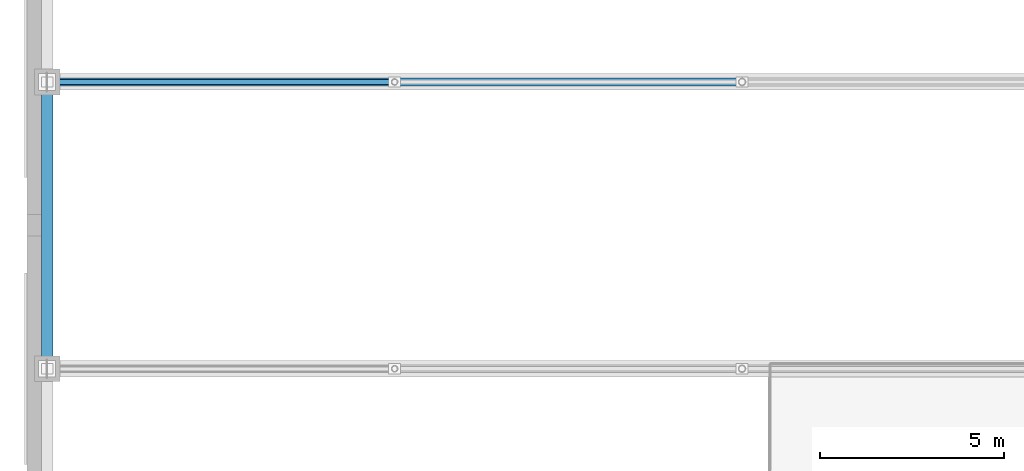
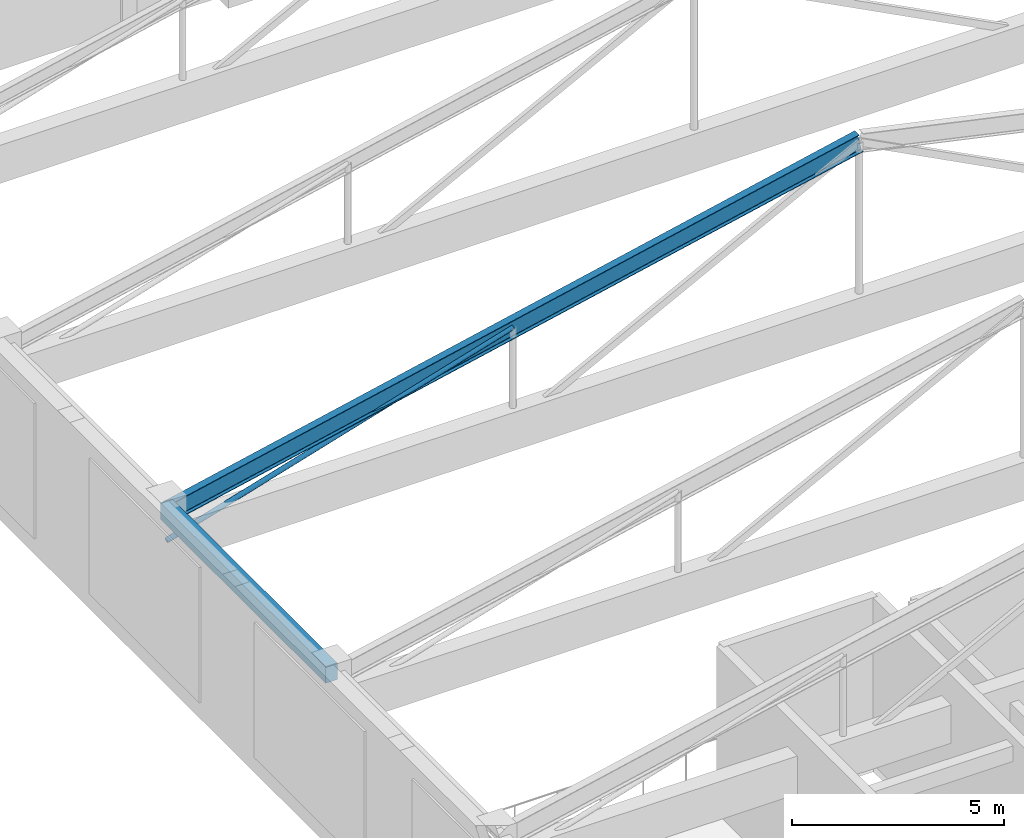
# One storey, part 23 of 105: 2 beams, 1 member.
"""IFC4 building model written with IfcOpenShell, lengths in metres."""

import ifcopenshell
import ifcopenshell.guid

model = None  # the IFC model being written
_history = None  # IfcOwnerHistory: only IFC2X3 demands one
_inside = {}  # id of a spatial element -> (the spatial element, [elements in it])
_under = {}  # id of a project, library or spatial element -> (it, [spatial elements below it])
_declared = {}  # id of a project -> (the project, [libraries it declares])
_typed = {}  # id of a type object -> (the type object, [elements of that type])
_made_of = {}  # id of a material, layer set ... -> (it, [elements and type objects made of it])


def new_model(schema):
    """Start an empty IFC model of exactly this schema.

    Asked for "IFC4X3", IfcOpenShell would pick the latest addendum, in which some entities
    have other attributes; the version numbers below select the first issue.
    IFC2X3 requires an IfcOwnerHistory on every rooted entity: one is made here for all.
    """
    global model, _history
    if schema == "IFC4X3":
        model = ifcopenshell.file(schema_version=(4, 3, 0, 0))
    else:
        model = ifcopenshell.file(schema=schema)
    _inside.clear()
    _under.clear()
    _declared.clear()
    _typed.clear()
    _made_of.clear()
    _history = None
    if model.schema == "IFC2X3":
        org = make("IfcOrganization", Name="unknown")
        user = make(
            "IfcPersonAndOrganization",
            ThePerson=make("IfcPerson", FamilyName="unknown"),
            TheOrganization=org,
        )
        app = make(
            "IfcApplication",
            ApplicationDeveloper=org,
            Version="unknown",
            ApplicationFullName="unknown",
            ApplicationIdentifier="unknown",
        )
        _history = make(
            "IfcOwnerHistory",
            OwningUser=user,
            OwningApplication=app,
            ChangeAction="ADDED",
            CreationDate=0,
        )
    return model


def make(cls, **values):
    """One entity of the class cls with the attributes given. An attribute that is None is left unset."""
    return model.create_entity(
        cls, **{name: value for name, value in values.items() if value is not None}
    )


def rooted(cls, **values):
    """An entity with a GlobalId (a new one), such as an element, a storey or a relation."""
    return make(cls, GlobalId=ifcopenshell.guid.new(), OwnerHistory=_history, **values)


def si_unit(unit_type, name, prefix=None):
    """IfcSIUnit, for example si_unit("LENGTHUNIT", "METRE", prefix="MILLI")."""
    return make("IfcSIUnit", UnitType=unit_type, Prefix=prefix, Name=name)


def assignment(units):
    """IfcUnitAssignment: the units of a project."""
    return None if units is None else make("IfcUnitAssignment", Units=units)


def point(xyz):
    """IfcCartesianPoint."""
    return None if xyz is None else make("IfcCartesianPoint", Coordinates=xyz)


def direction(xyz):
    """IfcDirection."""
    return None if xyz is None else make("IfcDirection", DirectionRatios=xyz)


def frame(location, z_axis=None, x_axis=None):
    """IfcAxis2Placement3D, a coordinate frame: its origin and axes. An axis left out is left unset."""
    return make(
        "IfcAxis2Placement3D",
        Location=point(location),
        Axis=direction(z_axis),
        RefDirection=direction(x_axis),
    )


def frame_2d(location, x_axis=None):
    """IfcAxis2Placement2D, a coordinate frame in the plane: its origin and x axis."""
    return make(
        "IfcAxis2Placement2D", Location=point(location), RefDirection=direction(x_axis)
    )


def origin():
    """The frame at (0, 0, 0) with its axes left unset."""
    return frame((0.0, 0.0, 0.0))


def origin_2d():
    """The frame at (0, 0) in the plane with its x axis left unset."""
    return frame_2d((0.0, 0.0))


def place(relative_to, where):
    """IfcLocalPlacement: puts the frame where relative to a parent placement (None: the world)."""
    return make(
        "IfcLocalPlacement", PlacementRelTo=relative_to, RelativePlacement=where
    )


def context(
    kind, dimensions, precision=None, world=None, true_north=None, identifier=None
):
    """IfcGeometricRepresentationContext, for example the 3D "Model" context."""
    return make(
        "IfcGeometricRepresentationContext",
        ContextIdentifier=identifier,
        ContextType=kind,
        CoordinateSpaceDimension=dimensions,
        Precision=precision,
        WorldCoordinateSystem=world,
        TrueNorth=true_north,
    )


def subcontext(parent, identifier, kind, view, scale=None):
    """IfcGeometricRepresentationSubContext, for example "Body" below "Model"."""
    return make(
        "IfcGeometricRepresentationSubContext",
        ContextIdentifier=identifier,
        ContextType=kind,
        ParentContext=parent,
        TargetScale=scale,
        TargetView=view,
    )


def project(units=None, contexts=None):
    """IfcProject with its units and contexts."""
    return rooted(
        "IfcProject",
        Name="project",
        RepresentationContexts=contexts,
        UnitsInContext=assignment(units),
    )


def spatial(cls, under=None, at=None, **own):
    """A site, building, storey or space (cls), placed at a placement, below another one or the project."""
    s = rooted(cls, ObjectPlacement=at, **own)
    if under is not None:
        _under.setdefault(under.id(), (under, []))[1].append(s)
    return s


def profile(cls, at=None, kind="AREA", **sizes):
    """A parametric profile (cls). Its sizes go by their IFC names, for example OverallWidth=200.0."""
    return make(cls, ProfileType=kind, Position=at, **sizes)


def rectangle(**sizes):
    """IfcRectangleProfileDef."""
    return profile("IfcRectangleProfileDef", **sizes)


def hollow_circle(**sizes):
    """IfcCircleHollowProfileDef."""
    return profile("IfcCircleHollowProfileDef", **sizes)


def i_section(**sizes):
    """IfcIShapeProfileDef."""
    return profile("IfcIShapeProfileDef", **sizes)


def extrude(swept, where, along, depth):
    """IfcExtrudedAreaSolid: the profile swept, set in the frame where, extruded along a direction by depth."""
    return make(
        "IfcExtrudedAreaSolid",
        SweptArea=swept,
        Position=where,
        ExtrudedDirection=direction(along),
        Depth=depth,
    )


def shape(context_of_items, identifier, shape_type, items):
    """IfcShapeRepresentation: the items that make up one representation, for example the "Body"."""
    return make(
        "IfcShapeRepresentation",
        ContextOfItems=context_of_items,
        RepresentationIdentifier=identifier,
        RepresentationType=shape_type,
        Items=items,
    )


def material(Name=None, Category=None):
    """IfcMaterial."""
    return make("IfcMaterial", Name=Name, Category=Category)


def material_profile(
    of_material, cross_section, Name=None, Category=None, Priority=None
):
    """IfcMaterialProfile: a cross section and its material."""
    return make(
        "IfcMaterialProfile",
        Name=Name,
        Material=of_material,
        Profile=cross_section,
        Priority=Priority,
        Category=Category,
    )


def profile_set(profiles, Name=None, composite=None):
    """IfcMaterialProfileSet."""
    return make(
        "IfcMaterialProfileSet",
        Name=Name,
        MaterialProfiles=profiles,
        CompositeProfile=composite,
    )


def made_of(thing, what):
    """Note that an element or type object is made of a material, layer set ...; save() writes the relation."""
    if what is not None:
        _made_of.setdefault(what.id(), (what, []))[1].append(thing)
    return thing


def type_object(cls, material=None, **own):
    """A type object (cls), such as IfcWallType, which elements share."""
    return made_of(rooted(cls, **own), material)


def element(
    cls,
    number,
    at=None,
    inside=None,
    cuts=None,
    type_object=None,
    material=None,
    context=None,
    identifier="Body",
    shape_type=None,
    held_by="IfcProductDefinitionShape",
    body=None,
    shapes=None,
    **own,
):
    """One element of the class cls, such as IfcWall. Its Tag is "e" and its number.

    at: its placement. inside: the storey or other place that contains it. cuts: it is an
    opening in that element (IfcRelVoidsElement). A single representation is given by context,
    identifier, shape_type and body (its items); several are given by shapes. held_by: the class
    of the entity that holds the representations. save() writes the other relations.
    """
    e = rooted(cls, Tag="e%d" % number, ObjectPlacement=at, **own)
    if body is not None:
        shapes = [shape(context, identifier, shape_type, body)]
    if shapes is not None:
        e.Representation = make(held_by, Representations=shapes)
    if inside is not None:
        _inside.setdefault(inside.id(), (inside, []))[1].append(e)
    if cuts is not None:
        rooted(
            "IfcRelVoidsElement", RelatingBuildingElement=cuts, RelatedOpeningElement=e
        )
    if type_object is not None:
        _typed.setdefault(type_object.id(), (type_object, []))[1].append(e)
    return made_of(e, material)


def aggregate(whole, parts):
    """IfcRelAggregates: a whole, such as a stair, and the parts it consists of."""
    return rooted("IfcRelAggregates", RelatingObject=whole, RelatedObjects=parts)


def save(model, path):
    """Write the relations noted so far, then the file.

    IfcRelAggregates (storeys below a building ...), IfcRelContainedInSpatialStructure (elements
    in a storey), IfcRelDefinesByType, IfcRelAssociatesMaterial and IfcRelDeclares: one each for
    every whole, place, type object, material and project.
    """
    for whole, parts in _under.values():
        aggregate(whole, parts)
    for where, things in _inside.values():
        rooted(
            "IfcRelContainedInSpatialStructure",
            RelatedElements=things,
            RelatingStructure=where,
        )
    for kind, things in _typed.values():
        rooted("IfcRelDefinesByType", RelatedObjects=things, RelatingType=kind)
    for what, things in _made_of.values():
        rooted("IfcRelAssociatesMaterial", RelatedObjects=things, RelatingMaterial=what)
    for by, libraries in _declared.values():
        rooted("IfcRelDeclares", RelatingContext=by, RelatedDefinitions=libraries)
    model.write(path)


model = new_model("IFC4")

# Units and contexts
model_context = context("Model", 3, precision=1e-05, world=origin(), true_north=direction((0.0, 1.0)))
body_context = subcontext(model_context, "Body", "Model", "MODEL_VIEW")
ifc_project = project(units=[si_unit("LENGTHUNIT", "METRE"), si_unit("AREAUNIT", "SQUARE_METRE"), si_unit("VOLUMEUNIT", "CUBIC_METRE"), si_unit("PLANEANGLEUNIT", "RADIAN"), si_unit("MASSUNIT", "GRAM", prefix="KILO")], contexts=[model_context])

# Site, building, storey
site_placement = place(None, origin())
site = spatial("IfcSite", under=ifc_project, at=site_placement, CompositionType="ELEMENT")
building_placement = place(site_placement, origin())
building = spatial("IfcBuilding", under=site, at=building_placement, Name="Pelvatis Terrace Science Centre", CompositionType="ELEMENT")
storey_placement = place(building_placement, frame((0.0, 0.0, 10.199951171875)))
storey = spatial("IfcBuildingStorey", under=building, at=storey_placement, Name="L02", CompositionType="ELEMENT", Elevation=10.199951171875)

# Beams
ifc_material_1 = material(Name="Concrete C35/45", Category="concrete")
ifc_material_profile_1 = material_profile(ifc_material_1, rectangle(XDim=0.320068359375, YDim=0.47998046875, at=origin_2d()), Name="RC-BM 320x480")
ifc_profile_set_1 = profile_set([ifc_material_profile_1], Name="Concrete C35/45")
beam_type_1 = type_object("IfcBeamType", Name="BM-RC-320x480", PredefinedType="BEAM", material=ifc_profile_set_1)
beam_1_placement = place(storey_placement, frame((8.39990234375, 85.800048828125, 4.300048828125), z_axis=(0.0, 1.0, 0.0), x_axis=(-1.0, 0.0, 0.0)))
element("IfcBeam", 1, at=beam_1_placement, inside=storey, type_object=beam_type_1, Name="Beam BM-L02-2883", PredefinedType="BEAM", context=body_context, shape_type="SweptSolid", body=[
    extrude(rectangle(XDim=0.320068359375, YDim=0.47998046875, at=origin_2d()), origin(), (0.0, 0.0, 1.0), 7.800048828125),
])
ifc_material_2 = material(Name="Structural steel S355", Category="steel")
ifc_material_profile_2 = material_profile(ifc_material_2, i_section(OverallWidth=0.208984375, OverallDepth=0.532958984375, WebThickness=0.01025390625, FlangeThickness=0.015625, FilletRadius=0.013916015625, at=origin_2d()), Name="W530x92")
ifc_profile_set_2 = profile_set([ifc_material_profile_2], Name="Structural steel S355")
beam_type_2 = type_object("IfcBeamType", Name="BM-STL-W530x92", PredefinedType="BEAM", material=ifc_profile_set_2)
beam_2_placement = place(storey_placement, frame((8.39990234375, 93.60009765625, 4.199951171875), z_axis=(0.977268898486, 0.0, 0.212003537831), x_axis=(0.0, 1.0, 0.0)))
element("IfcBeam", 2, at=beam_2_placement, inside=storey, type_object=beam_type_2, Name="Theatre roof truss 4 west top girder", PredefinedType="BEAM", context=body_context, shape_type="SweptSolid", body=[
    extrude(i_section(OverallWidth=0.208984375, OverallDepth=0.532958984375, WebThickness=0.01025390625, FlangeThickness=0.015625, FilletRadius=0.013916015625, at=origin_2d()), origin(), (0.0, 0.0, 1.0), 19.33984375),
])

# Member
ifc_material_3 = material(Name="Structural steel S355", Category="steel")
ifc_material_profile_3 = material_profile(ifc_material_3, hollow_circle(Radius=0.06982421875, WallThickness=0.0048828125, at=origin_2d()), Name="CHS 139.7x5.0")
ifc_profile_set_3 = profile_set([ifc_material_profile_3], Name="Structural steel S355")
member_type = type_object("IfcMemberType", Name="MEM-BRC-CHS140", PredefinedType="BRACE", material=ifc_profile_set_3)
member_placement = place(storey_placement, frame((8.39990234375, 93.60009765625, 3.400146484375), z_axis=(0.95741275829, 0.0, 0.288722722112), x_axis=(0.0, 1.0, 0.0)))
element("IfcMember", 3, at=member_placement, inside=storey, type_object=member_type, Name="Theatre truss 4 web 3", PredefinedType="BRACE", context=body_context, shape_type="SweptSolid", body=[
    extrude(hollow_circle(Radius=0.06982421875, WallThickness=0.0048828125, at=origin_2d()), origin(), (0.0, 0.0, 1.0), 9.87060546875),
])

save(model, "model.ifc")
